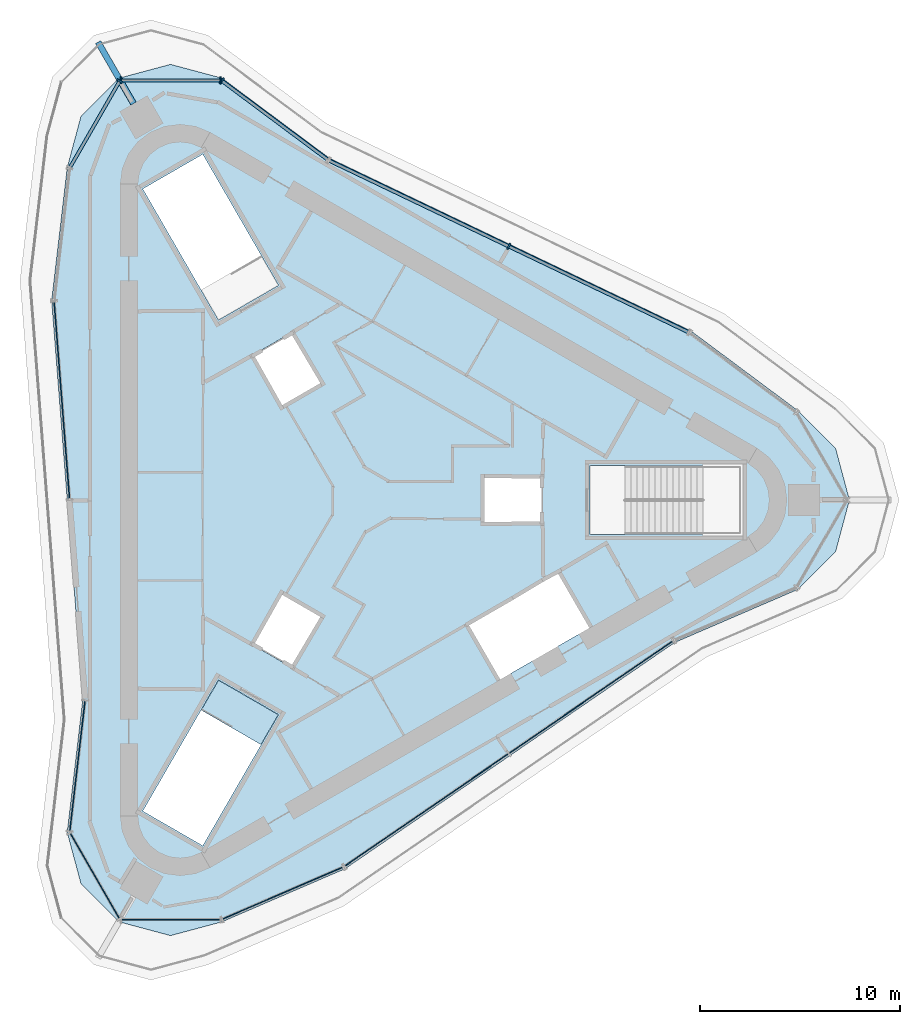
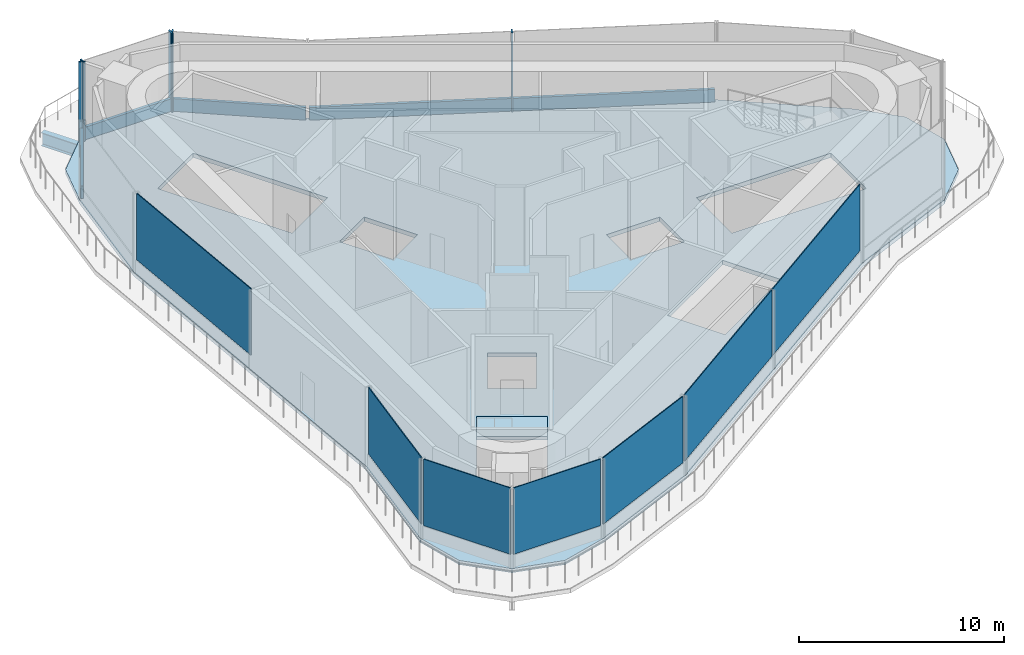
# One storey, part 2 of 8: 10 members, 7 plates, 2 slabs, 1 beam, 10 elements without a shape of their own.
"""IFC4 building model written with IfcOpenShell, lengths in metres."""

import ifcopenshell
import ifcopenshell.guid

model = None  # the IFC model being written
_history = None  # IfcOwnerHistory: only IFC2X3 demands one
_inside = {}  # id of a spatial element -> (the spatial element, [elements in it])
_under = {}  # id of a project, library or spatial element -> (it, [spatial elements below it])
_declared = {}  # id of a project -> (the project, [libraries it declares])
_typed = {}  # id of a type object -> (the type object, [elements of that type])
_made_of = {}  # id of a material, layer set ... -> (it, [elements and type objects made of it])


def new_model(schema):
    """Start an empty IFC model of exactly this schema.

    Asked for "IFC4X3", IfcOpenShell would pick the latest addendum, in which some entities
    have other attributes; the version numbers below select the first issue.
    IFC2X3 requires an IfcOwnerHistory on every rooted entity: one is made here for all.
    """
    global model, _history
    if schema == "IFC4X3":
        model = ifcopenshell.file(schema_version=(4, 3, 0, 0))
    else:
        model = ifcopenshell.file(schema=schema)
    _inside.clear()
    _under.clear()
    _declared.clear()
    _typed.clear()
    _made_of.clear()
    _history = None
    if model.schema == "IFC2X3":
        org = make("IfcOrganization", Name="unknown")
        user = make(
            "IfcPersonAndOrganization",
            ThePerson=make("IfcPerson", FamilyName="unknown"),
            TheOrganization=org,
        )
        app = make(
            "IfcApplication",
            ApplicationDeveloper=org,
            Version="unknown",
            ApplicationFullName="unknown",
            ApplicationIdentifier="unknown",
        )
        _history = make(
            "IfcOwnerHistory",
            OwningUser=user,
            OwningApplication=app,
            ChangeAction="ADDED",
            CreationDate=0,
        )
    return model


def make(cls, **values):
    """One entity of the class cls with the attributes given. An attribute that is None is left unset."""
    return model.create_entity(
        cls, **{name: value for name, value in values.items() if value is not None}
    )


def rooted(cls, **values):
    """An entity with a GlobalId (a new one), such as an element, a storey or a relation."""
    return make(cls, GlobalId=ifcopenshell.guid.new(), OwnerHistory=_history, **values)


def si_unit(unit_type, name, prefix=None):
    """IfcSIUnit, for example si_unit("LENGTHUNIT", "METRE", prefix="MILLI")."""
    return make("IfcSIUnit", UnitType=unit_type, Prefix=prefix, Name=name)


def assignment(units):
    """IfcUnitAssignment: the units of a project."""
    return None if units is None else make("IfcUnitAssignment", Units=units)


def point(xyz):
    """IfcCartesianPoint."""
    return None if xyz is None else make("IfcCartesianPoint", Coordinates=xyz)


def direction(xyz):
    """IfcDirection."""
    return None if xyz is None else make("IfcDirection", DirectionRatios=xyz)


def frame(location, z_axis=None, x_axis=None):
    """IfcAxis2Placement3D, a coordinate frame: its origin and axes. An axis left out is left unset."""
    return make(
        "IfcAxis2Placement3D",
        Location=point(location),
        Axis=direction(z_axis),
        RefDirection=direction(x_axis),
    )


def frame_2d(location, x_axis=None):
    """IfcAxis2Placement2D, a coordinate frame in the plane: its origin and x axis."""
    return make(
        "IfcAxis2Placement2D", Location=point(location), RefDirection=direction(x_axis)
    )


def origin():
    """The frame at (0, 0, 0) with its axes left unset."""
    return frame((0.0, 0.0, 0.0))


def origin_2d():
    """The frame at (0, 0) in the plane with its x axis left unset."""
    return frame_2d((0.0, 0.0))


def place(relative_to, where):
    """IfcLocalPlacement: puts the frame where relative to a parent placement (None: the world)."""
    return make(
        "IfcLocalPlacement", PlacementRelTo=relative_to, RelativePlacement=where
    )


def context(
    kind, dimensions, precision=None, world=None, true_north=None, identifier=None
):
    """IfcGeometricRepresentationContext, for example the 3D "Model" context."""
    return make(
        "IfcGeometricRepresentationContext",
        ContextIdentifier=identifier,
        ContextType=kind,
        CoordinateSpaceDimension=dimensions,
        Precision=precision,
        WorldCoordinateSystem=world,
        TrueNorth=true_north,
    )


def subcontext(parent, identifier, kind, view, scale=None):
    """IfcGeometricRepresentationSubContext, for example "Body" below "Model"."""
    return make(
        "IfcGeometricRepresentationSubContext",
        ContextIdentifier=identifier,
        ContextType=kind,
        ParentContext=parent,
        TargetScale=scale,
        TargetView=view,
    )


def project(units=None, contexts=None):
    """IfcProject with its units and contexts."""
    return rooted(
        "IfcProject",
        Name="project",
        RepresentationContexts=contexts,
        UnitsInContext=assignment(units),
    )


def spatial(cls, under=None, at=None, **own):
    """A site, building, storey or space (cls), placed at a placement, below another one or the project."""
    s = rooted(cls, ObjectPlacement=at, **own)
    if under is not None:
        _under.setdefault(under.id(), (under, []))[1].append(s)
    return s


def polyline(points):
    """IfcPolyline through the points."""
    return make("IfcPolyline", Points=[point(p) for p in points])


def profile(cls, at=None, kind="AREA", **sizes):
    """A parametric profile (cls). Its sizes go by their IFC names, for example OverallWidth=200.0."""
    return make(cls, ProfileType=kind, Position=at, **sizes)


def rectangle(**sizes):
    """IfcRectangleProfileDef."""
    return profile("IfcRectangleProfileDef", **sizes)


def i_section(**sizes):
    """IfcIShapeProfileDef."""
    return profile("IfcIShapeProfileDef", **sizes)


def outline(outer, holes=None, kind="AREA"):
    """IfcArbitraryClosedProfileDef: a profile drawn as a closed curve; with holes, ...WithVoids."""
    if holes is None:
        return make("IfcArbitraryClosedProfileDef", ProfileType=kind, OuterCurve=outer)
    return make(
        "IfcArbitraryProfileDefWithVoids",
        ProfileType=kind,
        OuterCurve=outer,
        InnerCurves=holes,
    )


def extrude(swept, where, along, depth):
    """IfcExtrudedAreaSolid: the profile swept, set in the frame where, extruded along a direction by depth."""
    return make(
        "IfcExtrudedAreaSolid",
        SweptArea=swept,
        Position=where,
        ExtrudedDirection=direction(along),
        Depth=depth,
    )


def shape(context_of_items, identifier, shape_type, items):
    """IfcShapeRepresentation: the items that make up one representation, for example the "Body"."""
    return make(
        "IfcShapeRepresentation",
        ContextOfItems=context_of_items,
        RepresentationIdentifier=identifier,
        RepresentationType=shape_type,
        Items=items,
    )


def material(Name=None, Category=None):
    """IfcMaterial."""
    return make("IfcMaterial", Name=Name, Category=Category)


def layer(
    of_material, thickness, ventilated=None, Name=None, Category=None, Priority=None
):
    """IfcMaterialLayer: one layer of a wall or slab, of a material (None: an air gap)."""
    return make(
        "IfcMaterialLayer",
        Material=of_material,
        LayerThickness=thickness,
        IsVentilated=ventilated,
        Name=Name,
        Category=Category,
        Priority=Priority,
    )


def layer_set(layers, Name=None):
    """IfcMaterialLayerSet."""
    return make("IfcMaterialLayerSet", MaterialLayers=layers, LayerSetName=Name)


def material_profile(
    of_material, cross_section, Name=None, Category=None, Priority=None
):
    """IfcMaterialProfile: a cross section and its material."""
    return make(
        "IfcMaterialProfile",
        Name=Name,
        Material=of_material,
        Profile=cross_section,
        Priority=Priority,
        Category=Category,
    )


def profile_set(profiles, Name=None, composite=None):
    """IfcMaterialProfileSet."""
    return make(
        "IfcMaterialProfileSet",
        Name=Name,
        MaterialProfiles=profiles,
        CompositeProfile=composite,
    )


def made_of(thing, what):
    """Note that an element or type object is made of a material, layer set ...; save() writes the relation."""
    if what is not None:
        _made_of.setdefault(what.id(), (what, []))[1].append(thing)
    return thing


def type_object(cls, material=None, **own):
    """A type object (cls), such as IfcWallType, which elements share."""
    return made_of(rooted(cls, **own), material)


def element(
    cls,
    number,
    at=None,
    inside=None,
    cuts=None,
    type_object=None,
    material=None,
    context=None,
    identifier="Body",
    shape_type=None,
    held_by="IfcProductDefinitionShape",
    body=None,
    shapes=None,
    **own,
):
    """One element of the class cls, such as IfcWall. Its Tag is "e" and its number.

    at: its placement. inside: the storey or other place that contains it. cuts: it is an
    opening in that element (IfcRelVoidsElement). A single representation is given by context,
    identifier, shape_type and body (its items); several are given by shapes. held_by: the class
    of the entity that holds the representations. save() writes the other relations.
    """
    e = rooted(cls, Tag="e%d" % number, ObjectPlacement=at, **own)
    if body is not None:
        shapes = [shape(context, identifier, shape_type, body)]
    if shapes is not None:
        e.Representation = make(held_by, Representations=shapes)
    if inside is not None:
        _inside.setdefault(inside.id(), (inside, []))[1].append(e)
    if cuts is not None:
        rooted(
            "IfcRelVoidsElement", RelatingBuildingElement=cuts, RelatedOpeningElement=e
        )
    if type_object is not None:
        _typed.setdefault(type_object.id(), (type_object, []))[1].append(e)
    return made_of(e, material)


def aggregate(whole, parts):
    """IfcRelAggregates: a whole, such as a stair, and the parts it consists of."""
    return rooted("IfcRelAggregates", RelatingObject=whole, RelatedObjects=parts)


def save(model, path):
    """Write the relations noted so far, then the file.

    IfcRelAggregates (storeys below a building ...), IfcRelContainedInSpatialStructure (elements
    in a storey), IfcRelDefinesByType, IfcRelAssociatesMaterial and IfcRelDeclares: one each for
    every whole, place, type object, material and project.
    """
    for whole, parts in _under.values():
        aggregate(whole, parts)
    for where, things in _inside.values():
        rooted(
            "IfcRelContainedInSpatialStructure",
            RelatedElements=things,
            RelatingStructure=where,
        )
    for kind, things in _typed.values():
        rooted("IfcRelDefinesByType", RelatedObjects=things, RelatingType=kind)
    for what, things in _made_of.values():
        rooted("IfcRelAssociatesMaterial", RelatedObjects=things, RelatingMaterial=what)
    for by, libraries in _declared.values():
        rooted("IfcRelDeclares", RelatingContext=by, RelatedDefinitions=libraries)
    model.write(path)


model = new_model("IFC4")

# Units and contexts
model_context = context("Model", 3, precision=1e-05, world=origin(), true_north=direction((0.0, 1.0)))
body_context = subcontext(model_context, "Body", "Model", "MODEL_VIEW")
ifc_project = project(units=[si_unit("LENGTHUNIT", "METRE"), si_unit("AREAUNIT", "SQUARE_METRE"), si_unit("VOLUMEUNIT", "CUBIC_METRE"), si_unit("PLANEANGLEUNIT", "RADIAN"), si_unit("MASSUNIT", "GRAM", prefix="KILO")], contexts=[model_context])

# Site, building, storey
site_placement = place(None, origin())
site = spatial("IfcSite", under=ifc_project, at=site_placement, CompositionType="ELEMENT")
building_placement = place(site_placement, origin())
building = spatial("IfcBuilding", under=site, at=building_placement, Name="Tanit Gate Tower", CompositionType="ELEMENT")
storey_placement = place(building_placement, frame((0.0, 0.0, 440.300048828125)))
storey = spatial("IfcBuildingStorey", under=building, at=storey_placement, Name="L99", CompositionType="ELEMENT", Elevation=440.300048828125)

# Beam
ifc_material_1 = material(Name="Steel S355", Category="steel")
ifc_material_profile_1 = material_profile(ifc_material_1, i_section(OverallWidth=0.300048828125, OverallDepth=0.7900390625, WebThickness=0.014892578125, FlangeThickness=0.028076171875, FilletRadius=0.030029296875, at=origin_2d()), Name="HEA 800")
ifc_profile_set_1 = profile_set([ifc_material_profile_1], Name="Steel S355")
beam_type = type_object("IfcBeamType", Name="CROWN TERRACE GIRDER HEA 800 S355", PredefinedType="BEAM", material=ifc_profile_set_1)
beam_placement = place(storey_placement, frame((-11.424560546875, 19.787841796875, -0.64501953125), z_axis=(-0.499947514557, 0.866055704149, 0.0), x_axis=(-0.866055704149, -0.499947514557, 0.0)))
element("IfcBeam", 1, at=beam_placement, inside=storey, type_object=beam_type, Name="CROWN TERRACE GIRDER", PredefinedType="BEAM", context=body_context, shape_type="SweptSolid", body=[
    extrude(i_section(OverallWidth=0.300048828125, OverallDepth=0.7900390625, WebThickness=0.014892578125, FlangeThickness=0.028076171875, FilletRadius=0.030029296875, at=origin_2d()), origin(), (0.0, 0.0, 1.0), 3.537109375),
])

# Curtain wall, member
ifc_material_2 = material(Name="Aluminium bronze anodised and glass", Category="aluminium")
curtain_wall_type = type_object("IfcCurtainWallType", Name="Curtain wall plant screen", PredefinedType="NOTDEFINED", material=ifc_material_2)
curtain_wall_1_placement = place(storey_placement, origin())
curtain_wall_1 = element("IfcCurtainWall", 2, at=curtain_wall_1_placement, inside=storey, type_object=curtain_wall_type, Name="Curtain wall L99 NE2", PredefinedType="NOTDEFINED")
ifc_material_3 = material(Name="Aluminium bronze anodised", Category="aluminium")
ifc_material_profile_2 = material_profile(ifc_material_3, rectangle(XDim=0.340087890625, YDim=0.080078125, at=origin_2d()), Name="80x340 bronze mullion")
ifc_profile_set_2 = profile_set([ifc_material_profile_2], Name="Aluminium bronze anodised")
member_type_1 = type_object("IfcMemberType", Name="Mullion 80x340 plant screen", PredefinedType="MULLION", material=ifc_profile_set_2)
member_1_placement = place(storey_placement, frame((7.3046875, 12.65673828125, -0.25), z_axis=(0.0, 0.0, 1.0), x_axis=(-0.431072811819, -0.902317145415, 0.0)))
member_1 = element("IfcMember", 3, at=member_1_placement, type_object=member_type_1, Name="Mullion L99 NE2.2", PredefinedType="MULLION", context=body_context, shape_type="SweptSolid", body=[
    extrude(rectangle(XDim=0.340087890625, YDim=0.080078125, at=origin_2d()), origin(), (0.0, 0.0, 1.0), 4.949951171875),
])

curtain_wall_2_placement = place(storey_placement, origin())
curtain_wall_2 = element("IfcCurtainWall", 4, at=curtain_wall_2_placement, inside=storey, type_object=curtain_wall_type, Name="Curtain wall L99 NE3", PredefinedType="NOTDEFINED")
member_2_placement = place(storey_placement, frame((-7.019775390625, 20.920166015625, -0.25), z_axis=(0.0, 0.0, 1.0), x_axis=(-0.59734052401, -0.801987717098, 0.0)))
member_2 = element("IfcMember", 5, at=member_2_placement, type_object=member_type_1, Name="Mullion L99 NE3.2", PredefinedType="MULLION", context=body_context, shape_type="SweptSolid", body=[
    extrude(rectangle(XDim=0.340087890625, YDim=0.080078125, at=origin_2d()), origin(), (0.0, 0.0, 1.0), 4.949951171875),
])

# Curtain wall, members
curtain_wall_3_placement = place(storey_placement, origin())
curtain_wall_3 = element("IfcCurtainWall", 6, at=curtain_wall_3_placement, inside=storey, type_object=curtain_wall_type, Name="Curtain wall L99 NW.arc1", PredefinedType="NOTDEFINED")
member_3_placement = place(storey_placement, frame((-7.091796875, 20.944091796875, -0.25), z_axis=(0.0, 0.0, 1.0), x_axis=(-0.000471083302, -0.99999988904, 0.0)))
member_3 = element("IfcMember", 7, at=member_3_placement, type_object=member_type_1, Name="Mullion L99 NW.arc1.1", PredefinedType="MULLION", context=body_context, shape_type="SweptSolid", body=[
    extrude(rectangle(XDim=0.340087890625, YDim=0.080078125, at=origin_2d()), origin(), (0.0, 0.0, 1.0), 4.949951171875),
])
member_4_placement = place(storey_placement, frame((-12.053466796875, 20.9462890625, -0.25), z_axis=(0.0, 0.0, 1.0), x_axis=(-0.000471083302, -0.99999988904, 0.0)))
member_4 = element("IfcMember", 8, at=member_4_placement, type_object=member_type_1, Name="Mullion L99 NW.arc1.2", PredefinedType="MULLION", context=body_context, shape_type="SweptSolid", body=[
    extrude(rectangle(XDim=0.340087890625, YDim=0.080078125, at=origin_2d()), origin(), (0.0, 0.0, 1.0), 4.949951171875),
])

# Curtain wall, member
curtain_wall_4_placement = place(storey_placement, origin())
curtain_wall_4 = element("IfcCurtainWall", 9, at=curtain_wall_4_placement, inside=storey, type_object=curtain_wall_type, Name="Curtain wall L99 NW.arc2", PredefinedType="NOTDEFINED")
member_5_placement = place(storey_placement, frame((-12.11328125, 20.911865234375, -0.25), z_axis=(0.0, 0.0, 1.0), x_axis=(0.866624446929, -0.498960988441, 0.0)))
member_5 = element("IfcMember", 10, at=member_5_placement, type_object=member_type_1, Name="Mullion L99 NW.arc2.1", PredefinedType="MULLION", context=body_context, shape_type="SweptSolid", body=[
    extrude(rectangle(XDim=0.340087890625, YDim=0.080078125, at=origin_2d()), origin(), (0.0, 0.0, 1.0), 4.949951171875),
])

# Member
ifc_material_4 = material(Name="Aluminium bronze anodised", Category="aluminium")
ifc_material_profile_3 = material_profile(ifc_material_4, rectangle(XDim=0.159912109375, YDim=1.0, at=origin_2d()), Name="160x1000 bronze transom")
ifc_profile_set_3 = profile_set([ifc_material_profile_3], Name="Aluminium bronze anodised")
member_type_2 = type_object("IfcMemberType", Name="Transom 160x1000 plant screen", PredefinedType="USERDEFINED", material=ifc_profile_set_3)
member_6_placement = place(storey_placement, frame((16.240478515625, 8.3876953125, 0.25), z_axis=(-0.902307988105, 0.431091979284, 0.0), x_axis=(-0.431091979284, -0.902307988105, 0.0)))
member_6 = element("IfcMember", 11, at=member_6_placement, type_object=member_type_2, Name="Transom L99 NE2.1", ObjectType="TRANSOM", PredefinedType="USERDEFINED", context=body_context, shape_type="SweptSolid", body=[
    extrude(rectangle(XDim=0.159912109375, YDim=1.0, at=origin_2d()), origin(), (0.0, 0.0, 1.0), 9.86328125),
])

member_7_placement = place(storey_placement, frame((7.2685546875, 12.674072265625, 0.25), z_axis=(-0.902317616208, 0.431071826359, 0.0), x_axis=(-0.431071826359, -0.902317616208, 0.0)))
member_7 = element("IfcMember", 12, at=member_7_placement, type_object=member_type_2, Name="Transom L99 NE2.2", ObjectType="TRANSOM", PredefinedType="USERDEFINED", context=body_context, shape_type="SweptSolid", body=[
    extrude(rectangle(XDim=0.159912109375, YDim=1.0, at=origin_2d()), origin(), (0.0, 0.0, 1.0), 9.863037109375),
])

aggregate(curtain_wall_1, [member_1, member_6, member_7])

member_8_placement = place(storey_placement, frame((-1.767333984375, 17.008056640625, 0.25), z_axis=(-0.801998382255, 0.597326204733, 0.0), x_axis=(-0.597326204733, -0.801998382255, 0.0)))
member_8 = element("IfcMember", 13, at=member_8_placement, type_object=member_type_2, Name="Transom L99 NE3.1", ObjectType="TRANSOM", PredefinedType="USERDEFINED", context=body_context, shape_type="SweptSolid", body=[
    extrude(rectangle(XDim=0.159912109375, YDim=1.0, at=origin_2d()), origin(), (0.0, 0.0, 1.0), 6.50927734375),
])

aggregate(curtain_wall_2, [member_2, member_8])

member_9_placement = place(storey_placement, frame((-7.1318359375, 20.944091796875, 0.25), z_axis=(-0.999999898699, 0.000450112483, 0.0), x_axis=(-0.000450112483, -0.999999898699, 0.0)))
member_9 = element("IfcMember", 14, at=member_9_placement, type_object=member_type_2, Name="Transom L99 NW.arc1.1", ObjectType="TRANSOM", PredefinedType="USERDEFINED", context=body_context, shape_type="SweptSolid", body=[
    extrude(rectangle(XDim=0.159912109375, YDim=1.0, at=origin_2d()), origin(), (0.0, 0.0, 1.0), 4.881591796875),
])

aggregate(curtain_wall_3, [member_3, member_4, member_9])

member_10_placement = place(storey_placement, frame((-12.13330078125, 20.877197265625, 0.25), z_axis=(-0.498966714889, -0.866621149888, 0.0), x_axis=(0.866621149888, -0.498966714889, 0.0)))
member_10 = element("IfcMember", 15, at=member_10_placement, type_object=member_type_2, Name="Transom L99 NW.arc2.1", ObjectType="TRANSOM", PredefinedType="USERDEFINED", context=body_context, shape_type="SweptSolid", body=[
    extrude(rectangle(XDim=0.159912109375, YDim=1.0, at=origin_2d()), origin(), (0.0, 0.0, 1.0), 4.895263671875),
])

aggregate(curtain_wall_4, [member_5, member_10])

# Slabs
ifc_material_5 = material(Name="Concrete C35/45", Category="concrete")
ifc_layer_1 = layer(ifc_material_5, 0.25)
ifc_layer_set_1 = layer_set([ifc_layer_1], Name="CROWN FLOOR SLAB 250 C35/45")
slab_type_1 = type_object("IfcSlabType", Name="CROWN FLOOR SLAB 250 C35/45", PredefinedType="FLOOR", material=ifc_layer_set_1)
slab_1_placement = place(storey_placement, frame((0.0, 0.0, -0.25)))
element("IfcSlab", 16, at=slab_1_placement, inside=storey, type_object=slab_type_1, Name="FLOOR SLAB L99", PredefinedType="FLOOR", context=body_context, shape_type="SweptSolid", body=[
    extrude(outline(polyline([(21.732666015625, 4.466064453125), (23.6201171875, 2.578369140625), (24.31103515625, 0.0), (23.6201171875, -2.578369140625), (21.732666015625, -4.466064453125), (15.597900390625, -7.110595703125), (-0.864013671875, -18.409423828125), (-6.99853515625, -21.053955078125), (-9.5771484375, -21.744873046875), (-12.155517578125, -21.053955078125), (-14.043212890625, -19.16650390625), (-14.73388671875, -16.587890625), (-13.956787109375, -9.952880859375), (-15.510986328125, 9.952880859375), (-14.73388671875, 16.587890625), (-14.043212890625, 19.16650390625), (-12.155517578125, 21.053955078125), (-9.5771484375, 21.744873046875), (-6.99853515625, 21.053955078125), (-1.640869140625, 17.0634765625), (16.375, 8.45654296875), (21.732666015625, 4.466064453125)]), holes=[polyline([(11.3701171875, -1.72998046875), (11.3701171875, 1.72998046875), (18.929931640625, 1.72998046875), (18.929931640625, -1.72998046875), (11.3701171875, -1.72998046875)]), polyline([(9.82080078125, -3.510009765625), (11.44580078125, -6.324462890625), (6.76904296875, -9.0244140625), (5.14404296875, -6.2099609375), (9.82080078125, -3.510009765625)]), polyline([(6.0, -1.199951171875), (6.0, 1.199951171875), (9.0, 1.199951171875), (9.0, -1.199951171875), (6.0, -1.199951171875)]), polyline([(-1.960693359375, 5.796142578125), (-4.039306640625, 4.59619140625), (-5.539306640625, 7.194091796875), (-3.460693359375, 8.394287109375), (-1.960693359375, 5.796142578125)]), polyline([(-4.039306640625, -4.59619140625), (-1.960693359375, -5.796142578125), (-3.460693359375, -8.394287109375), (-5.539306640625, -7.194091796875), (-4.039306640625, -4.59619140625)]), polyline([(-4.186767578125, 10.711669921875), (-7.18310546875, 8.981689453125), (-10.963134765625, 15.52880859375), (-7.966796875, 17.2587890625), (-4.186767578125, 10.711669921875)]), polyline([(-7.18310546875, -8.981689453125), (-4.186767578125, -10.711669921875), (-7.966796875, -17.2587890625), (-10.963134765625, -15.52880859375), (-7.18310546875, -8.981689453125)])]), origin(), (0.0, 0.0, 1.0), 0.25),
])
ifc_material_6 = material(Name="Concrete C40/50", Category="concrete")
ifc_layer_2 = layer(ifc_material_6, 0.199951171875)
ifc_layer_set_2 = layer_set([ifc_layer_2], Name="INT-STAIR-LANDING")
slab_type_2 = type_object("IfcSlabType", Name="INT-STAIR-LANDING", PredefinedType="LANDING", material=ifc_layer_set_2)
slab_2_placement = place(storey_placement, frame((0.0, 0.0, -0.199951171875)))
element("IfcSlab", 17, at=slab_2_placement, inside=storey, type_object=slab_type_2, Name="S3 floor landing", PredefinedType="LANDING", context=body_context, shape_type="SweptSolid", body=[
    extrude(outline(polyline([(-7.179443359375, -8.995361328125), (-8.0419921875, -10.4892578125), (-5.06298828125, -12.209228515625), (-4.200439453125, -10.71533203125), (-7.179443359375, -8.995361328125)])), origin(), (0.0, 0.0, 1.0), 0.199951171875),
])

# Curtain wall, plate
curtain_wall_5_placement = place(storey_placement, origin())
curtain_wall_5 = element("IfcCurtainWall", 18, at=curtain_wall_5_placement, inside=storey, type_object=curtain_wall_type, Name="Curtain wall L99 W2a", PredefinedType="NOTDEFINED")
ifc_material_7 = material(Name="Aluminium bronze anodised louvre", Category="aluminium")
ifc_layer_3 = layer(ifc_material_7, 0.050048828125)
ifc_layer_set_3 = layer_set([ifc_layer_3], Name="Louvre panel 50 plant screen")
plate_type = type_object("IfcPlateType", Name="Louvre panel 50 plant screen", PredefinedType="CURTAIN_PANEL", material=ifc_layer_set_3)
plate_1_placement = place(storey_placement, frame((-15.001953125, 4.97412109375, 0.75), z_axis=(0.0, 0.0, 1.0), x_axis=(0.077838566791, -0.996965976109, 0.0)))
plate_1 = element("IfcPlate", 19, at=plate_1_placement, type_object=plate_type, Name="Louvre panel L99 W2a.1", PredefinedType="CURTAIN_PANEL", context=body_context, shape_type="SweptSolid", body=[
    extrude(rectangle(XDim=9.822998046875, YDim=0.050048828125, at=origin_2d()), origin(), (0.0, 0.0, 1.0), 3.949951171875),
])
aggregate(curtain_wall_5, [plate_1])

curtain_wall_6_placement = place(storey_placement, origin())
curtain_wall_6 = element("IfcCurtainWall", 20, at=curtain_wall_6_placement, inside=storey, type_object=curtain_wall_type, Name="Curtain wall L99 W3", PredefinedType="NOTDEFINED")
plate_2_placement = place(storey_placement, frame((-14.22412109375, -13.26708984375, 0.75), z_axis=(0.0, 0.0, 1.0), x_axis=(-0.116318209953, -0.993211998535, 0.0)))
plate_2 = element("IfcPlate", 21, at=plate_2_placement, type_object=plate_type, Name="Louvre panel L99 W3.1", PredefinedType="CURTAIN_PANEL", context=body_context, shape_type="SweptSolid", body=[
    extrude(rectangle(XDim=6.50927734375, YDim=0.050048828125, at=origin_2d()), origin(), (0.0, 0.0, 1.0), 3.949951171875),
])
aggregate(curtain_wall_6, [plate_2])

curtain_wall_7_placement = place(storey_placement, origin())
curtain_wall_7 = element("IfcCurtainWall", 22, at=curtain_wall_7_placement, inside=storey, type_object=curtain_wall_type, Name="Curtain wall L99 SW.arc1", PredefinedType="NOTDEFINED")
plate_3_placement = place(storey_placement, frame((-13.352783203125, -18.7626953125, 0.75), z_axis=(0.0, 0.0, 1.0), x_axis=(0.499591974413, -0.866260849341, 0.0)))
plate_3 = element("IfcPlate", 23, at=plate_3_placement, type_object=plate_type, Name="Louvre panel L99 SW.arc1.1", PredefinedType="CURTAIN_PANEL", context=body_context, shape_type="SweptSolid", body=[
    extrude(rectangle(XDim=4.881591796875, YDim=0.050048828125, at=origin_2d()), origin(), (0.0, 0.0, 1.0), 3.949951171875),
])
aggregate(curtain_wall_7, [plate_3])

curtain_wall_8_placement = place(storey_placement, origin())
curtain_wall_8 = element("IfcCurtainWall", 24, at=curtain_wall_8_placement, inside=storey, type_object=curtain_wall_type, Name="Curtain wall L99 SW.arc2", PredefinedType="NOTDEFINED")
plate_4_placement = place(storey_placement, frame((-9.565673828125, -20.943359375, 0.75), z_axis=(0.0, 0.0, 1.0), x_axis=(0.999999280801, 0.001199331977, 0.0)))
plate_4 = element("IfcPlate", 25, at=plate_4_placement, type_object=plate_type, Name="Louvre panel L99 SW.arc2.1", PredefinedType="CURTAIN_PANEL", context=body_context, shape_type="SweptSolid", body=[
    extrude(rectangle(XDim=4.895263671875, YDim=0.050048828125, at=origin_2d()), origin(), (0.0, 0.0, 1.0), 3.949951171875),
])
aggregate(curtain_wall_8, [plate_4])

curtain_wall_9_placement = place(storey_placement, origin())
curtain_wall_9 = element("IfcCurtainWall", 26, at=curtain_wall_9_placement, inside=storey, type_object=curtain_wall_type, Name="Curtain wall L99 SE1", PredefinedType="NOTDEFINED")
plate_5_placement = place(storey_placement, frame((-3.980224609375, -19.6220703125, 0.75), z_axis=(0.0, 0.0, 1.0), x_axis=(0.918305927051, 0.395871474525, 0.0)))
plate_5 = element("IfcPlate", 27, at=plate_5_placement, type_object=plate_type, Name="Louvre panel L99 SE1.1", PredefinedType="CURTAIN_PANEL", context=body_context, shape_type="SweptSolid", body=[
    extrude(rectangle(XDim=6.5, YDim=0.050048828125, at=origin_2d()), origin(), (0.0, 0.0, 1.0), 3.949951171875),
])
aggregate(curtain_wall_9, [plate_5])

# Curtain wall, plates
curtain_wall_10_placement = place(storey_placement, origin())
curtain_wall_10 = element("IfcCurtainWall", 28, at=curtain_wall_10_placement, inside=storey, type_object=curtain_wall_type, Name="Curtain wall L99 SE2", PredefinedType="NOTDEFINED")
plate_6_placement = place(storey_placement, frame((3.209716796875, -15.4677734375, 0.75), z_axis=(0.0, 0.0, 1.0), x_axis=(0.824478578624, 0.56589316429, 0.0)))
plate_6 = element("IfcPlate", 29, at=plate_6_placement, type_object=plate_type, Name="Louvre panel L99 SE2.1", PredefinedType="CURTAIN_PANEL", context=body_context, shape_type="SweptSolid", body=[
    extrude(rectangle(XDim=9.863037109375, YDim=0.050048828125, at=origin_2d()), origin(), (0.0, 0.0, 1.0), 3.949951171875),
])
plate_7_placement = place(storey_placement, frame((11.40771484375, -9.841064453125, 0.75), z_axis=(0.0, 0.0, 1.0), x_axis=(0.824478578624, 0.56589316429, 0.0)))
plate_7 = element("IfcPlate", 30, at=plate_7_placement, type_object=plate_type, Name="Louvre panel L99 SE2.2", PredefinedType="CURTAIN_PANEL", context=body_context, shape_type="SweptSolid", body=[
    extrude(rectangle(XDim=9.863037109375, YDim=0.050048828125, at=origin_2d()), origin(), (0.0, 0.0, 1.0), 3.949951171875),
])
aggregate(curtain_wall_10, [plate_6, plate_7])

save(model, "model.ifc")
